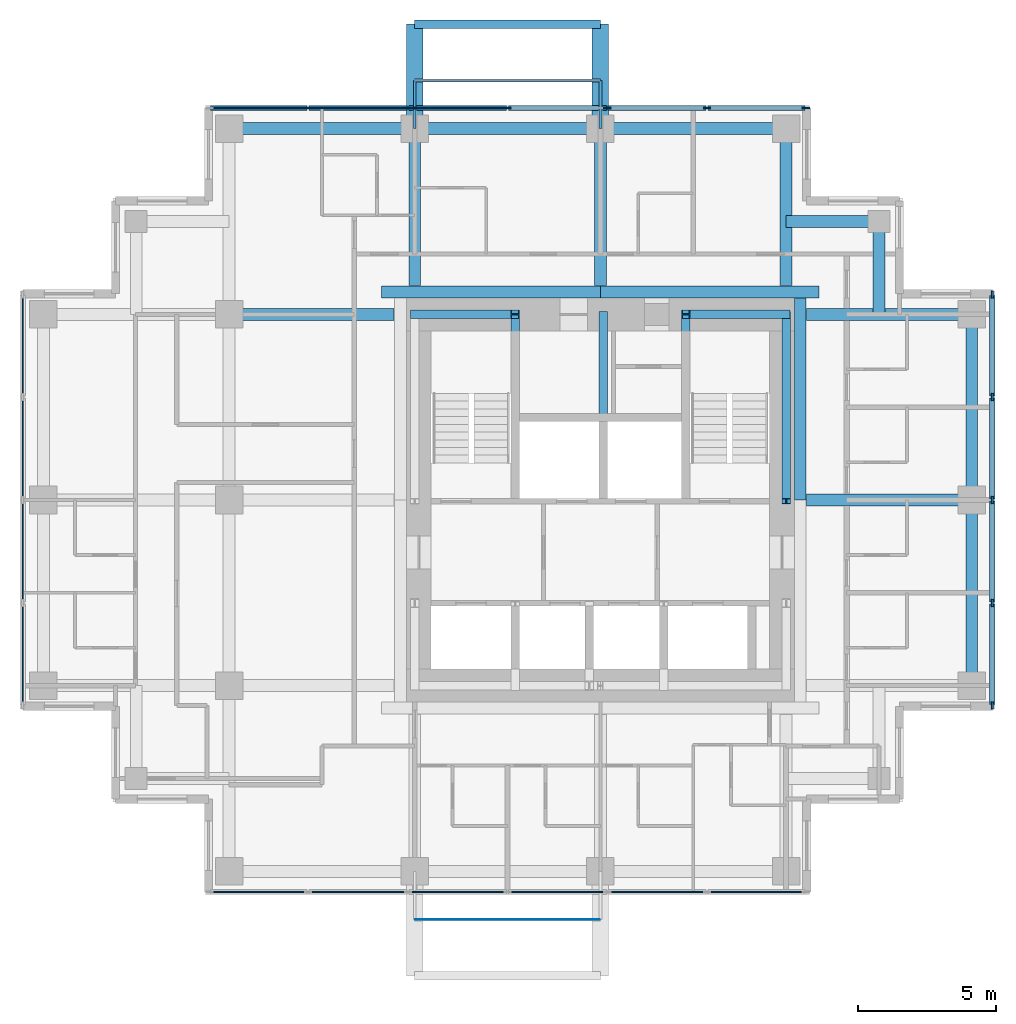
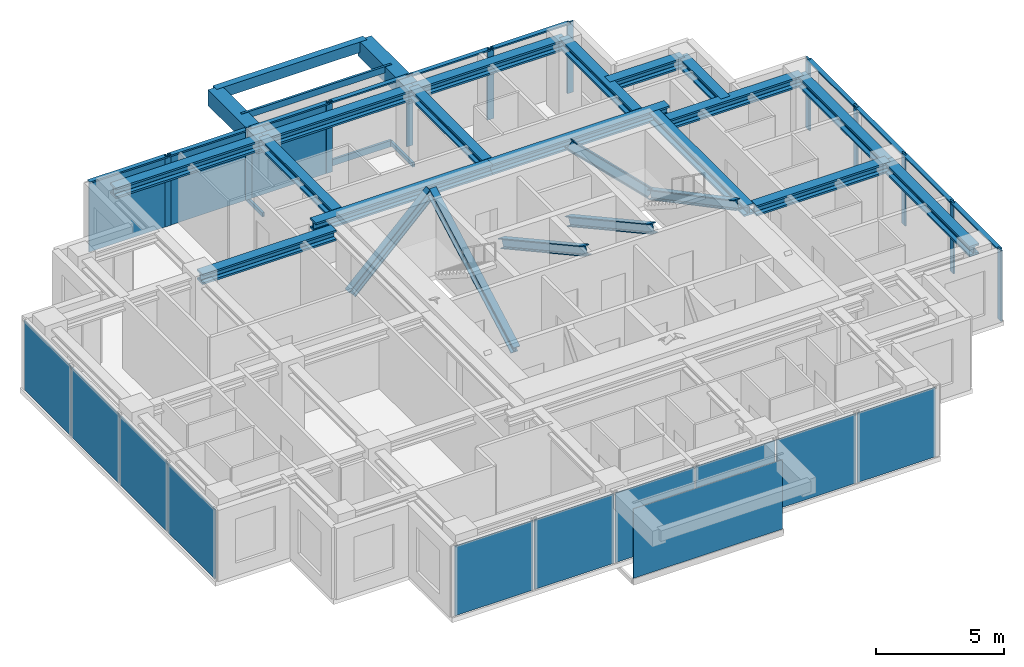
# One storey, part 2 of 8: 31 members, 19 beams, 14 plates, 4 elements without a shape of their own.
"""IFC4 building model written with IfcOpenShell, lengths in metres."""

from ifc_helpers import new_model, si_unit, direction, frame, origin, origin_2d, place, context, subcontext, project, spatial, rectangle, hollow_rectangle, i_section, extrude, material, layer, layer_set, material_profile, profile_set, type_object, element, aggregate, save


model = new_model("IFC4")

# Units and contexts
model_context = context("Model", 3, precision=1e-05, world=origin(), true_north=direction((0.0, 1.0)))
body_context = subcontext(model_context, "Body", "Model", "MODEL_VIEW")
ifc_project = project(units=[si_unit("LENGTHUNIT", "METRE"), si_unit("AREAUNIT", "SQUARE_METRE"), si_unit("VOLUMEUNIT", "CUBIC_METRE"), si_unit("PLANEANGLEUNIT", "RADIAN"), si_unit("MASSUNIT", "GRAM", prefix="KILO")], contexts=[model_context])

# Site, building, storey
site_placement = place(None, origin())
site = spatial("IfcSite", under=ifc_project, at=site_placement, CompositionType="ELEMENT")
building_placement = place(site_placement, origin())
building = spatial("IfcBuilding", under=site, at=building_placement, Name="Nyansa Garden Tower", CompositionType="ELEMENT")
storey_placement = place(building_placement, frame((0.0, 0.0, 243.89990234375)))
storey = spatial("IfcBuildingStorey", under=building, at=storey_placement, Name="L66", CompositionType="ELEMENT", Elevation=243.89990234375)

# Beams
ifc_material_1 = material(Name="Concrete C70/85", Category="concrete")
ifc_material_profile_1 = material_profile(ifc_material_1, rectangle(XDim=0.60009765625, YDim=0.75, at=origin_2d()), Name="RC 600x750")
ifc_profile_set_1 = profile_set([ifc_material_profile_1], Name="Concrete C70/85")
beam_type_1 = type_object("IfcBeamType", Name="Balcony cantilever beam CB1 RC 600x750", PredefinedType="BEAM", material=ifc_profile_set_1)
for number, where, z_axis, x_axis, name in (
    (1, (13.5, 33.75, 2.985107421875), (0.0, 1.0, 0.0), (-1.0, 0.0, 0.0), "Balcony cantilever beam L67"),
    (2, (20.25, 33.75, 2.985107421875), (0.0, 1.0, 0.0), (-1.0, 0.0, 0.0), "Balcony cantilever beam L67"),
):
    element("IfcBeam", number, at=place(storey_placement, frame(where, z_axis=z_axis, x_axis=x_axis)), inside=storey, type_object=beam_type_1, Name=name, PredefinedType="BEAM", context=body_context, shape_type="SweptSolid", body=[
        extrude(rectangle(XDim=0.60009765625, YDim=0.75, at=origin_2d()), origin(), (0.0, 0.0, 1.0), 3.800048828125),
    ])
ifc_material_2 = material(Name="Concrete C70/85", Category="concrete")
ifc_material_profile_2 = material_profile(ifc_material_2, rectangle(XDim=0.300048828125, YDim=0.5, at=origin_2d()), Name="RC 300x500")
ifc_profile_set_2 = profile_set([ifc_material_profile_2], Name="Concrete C70/85")
beam_type_2 = type_object("IfcBeamType", Name="Balcony edge beam BE1 RC 300x500", PredefinedType="BEAM", material=ifc_profile_set_2)
beam_1_placement = place(storey_placement, frame((13.5, 37.550048828125, 3.110107421875), z_axis=(1.0, 0.0, 0.0), x_axis=(0.0, 1.0, 0.0)))
element("IfcBeam", 3, at=beam_1_placement, inside=storey, type_object=beam_type_2, Name="Balcony edge beam L67", PredefinedType="BEAM", context=body_context, shape_type="SweptSolid", body=[
    extrude(rectangle(XDim=0.300048828125, YDim=0.5, at=origin_2d()), origin(), (0.0, 0.0, 1.0), 6.75),
])

# Curtain wall, members
ifc_material_3 = material(Name="Black anodised aluminium, dark tinted double glazing", Category="aluminium")
curtain_wall_type = type_object("IfcCurtainWallType", Name="Inner skin curtain wall ISW-D", PredefinedType="USERDEFINED", material=ifc_material_3)
curtain_wall_1_placement = place(storey_placement, origin())
curtain_wall_1 = element("IfcCurtainWall", 4, at=curtain_wall_1_placement, inside=storey, type_object=curtain_wall_type, Name="Inner skin curtain wall L66 E", ObjectType="UNITISED CURTAIN WALL", PredefinedType="USERDEFINED")
ifc_material_4 = material(Name="Black anodised aluminium", Category="aluminium")
ifc_material_profile_3 = material_profile(ifc_material_4, rectangle(XDim=0.070068359375, YDim=0.27490234375, at=origin_2d()), Name="Mullion 275x70")
ifc_profile_set_3 = profile_set([ifc_material_profile_3], Name="Black anodised aluminium")
member_type_1 = type_object("IfcMemberType", Name="Mullion ISW-D 275x70", PredefinedType="MULLION", material=ifc_profile_set_3)
member_1_placement = place(storey_placement, frame((34.5, 12.784912109375, 0.0), z_axis=(0.0, 0.0, 1.0), x_axis=(-1.0, 0.0, 0.0)))
member_1 = element("IfcMember", 5, at=member_1_placement, type_object=member_type_1, Name="ISW-D mullion 1", PredefinedType="MULLION", context=body_context, shape_type="SweptSolid", body=[
    extrude(rectangle(XDim=0.070068359375, YDim=0.27490234375, at=origin_2d()), origin(), (0.0, 0.0, 1.0), 3.375),
])
member_2_placement = place(storey_placement, frame((34.5, 16.5, 0.0), z_axis=(0.0, 0.0, 1.0), x_axis=(-1.0, 0.0, 0.0)))
member_2 = element("IfcMember", 6, at=member_2_placement, type_object=member_type_1, Name="ISW-D mullion 2", PredefinedType="MULLION", context=body_context, shape_type="SweptSolid", body=[
    extrude(rectangle(XDim=0.070068359375, YDim=0.27490234375, at=origin_2d()), origin(), (0.0, 0.0, 1.0), 3.375),
])
member_3_placement = place(storey_placement, frame((34.5, 20.25, 0.0), z_axis=(0.0, 0.0, 1.0), x_axis=(-1.0, 0.0, 0.0)))
member_3 = element("IfcMember", 7, at=member_3_placement, type_object=member_type_1, Name="ISW-D mullion 3", PredefinedType="MULLION", context=body_context, shape_type="SweptSolid", body=[
    extrude(rectangle(XDim=0.070068359375, YDim=0.27490234375, at=origin_2d()), origin(), (0.0, 0.0, 1.0), 3.375),
])
member_4_placement = place(storey_placement, frame((34.5, 24.0, 0.0), z_axis=(0.0, 0.0, 1.0), x_axis=(-1.0, 0.0, 0.0)))
member_4 = element("IfcMember", 8, at=member_4_placement, type_object=member_type_1, Name="ISW-D mullion 4", PredefinedType="MULLION", context=body_context, shape_type="SweptSolid", body=[
    extrude(rectangle(XDim=0.070068359375, YDim=0.27490234375, at=origin_2d()), origin(), (0.0, 0.0, 1.0), 3.375),
])
member_5_placement = place(storey_placement, frame((34.5, 27.715087890625, 0.0), z_axis=(0.0, 0.0, 1.0), x_axis=(-1.0, 0.0, 0.0)))
member_5 = element("IfcMember", 9, at=member_5_placement, type_object=member_type_1, Name="ISW-D mullion 5", PredefinedType="MULLION", context=body_context, shape_type="SweptSolid", body=[
    extrude(rectangle(XDim=0.070068359375, YDim=0.27490234375, at=origin_2d()), origin(), (0.0, 0.0, 1.0), 3.375),
])

curtain_wall_2_placement = place(storey_placement, origin())
curtain_wall_2 = element("IfcCurtainWall", 10, at=curtain_wall_2_placement, inside=storey, type_object=curtain_wall_type, Name="Inner skin curtain wall L66 N", ObjectType="UNITISED CURTAIN WALL", PredefinedType="USERDEFINED")
member_6_placement = place(storey_placement, frame((27.715087890625, 34.5, 0.0), z_axis=(0.0, 0.0, 1.0), x_axis=(0.0, -1.0, 0.0)))
member_6 = element("IfcMember", 11, at=member_6_placement, type_object=member_type_1, Name="ISW-D mullion 1", PredefinedType="MULLION", context=body_context, shape_type="SweptSolid", body=[
    extrude(rectangle(XDim=0.070068359375, YDim=0.27490234375, at=origin_2d()), origin(), (0.0, 0.0, 1.0), 3.375),
])
member_7_placement = place(storey_placement, frame((24.125, 34.5, 0.0), z_axis=(0.0, 0.0, 1.0), x_axis=(0.0, -1.0, 0.0)))
member_7 = element("IfcMember", 12, at=member_7_placement, type_object=member_type_1, Name="ISW-D mullion 2", PredefinedType="MULLION", context=body_context, shape_type="SweptSolid", body=[
    extrude(rectangle(XDim=0.070068359375, YDim=0.27490234375, at=origin_2d()), origin(), (0.0, 0.0, 1.0), 3.375),
])
member_8_placement = place(storey_placement, frame((20.5, 34.5, 0.0), z_axis=(0.0, 0.0, 1.0), x_axis=(0.0, -1.0, 0.0)))
member_8 = element("IfcMember", 13, at=member_8_placement, type_object=member_type_1, Name="ISW-D mullion 3", PredefinedType="MULLION", context=body_context, shape_type="SweptSolid", body=[
    extrude(rectangle(XDim=0.070068359375, YDim=0.27490234375, at=origin_2d()), origin(), (0.0, 0.0, 1.0), 3.375),
])
member_9_placement = place(storey_placement, frame((16.875, 34.5, 0.0), z_axis=(0.0, 0.0, 1.0), x_axis=(0.0, -1.0, 0.0)))
member_9 = element("IfcMember", 14, at=member_9_placement, type_object=member_type_1, Name="ISW-D mullion 4", PredefinedType="MULLION", context=body_context, shape_type="SweptSolid", body=[
    extrude(rectangle(XDim=0.070068359375, YDim=0.27490234375, at=origin_2d()), origin(), (0.0, 0.0, 1.0), 3.375),
])
member_10_placement = place(storey_placement, frame((13.25, 34.5, 0.0), z_axis=(0.0, 0.0, 1.0), x_axis=(0.0, -1.0, 0.0)))
member_10 = element("IfcMember", 15, at=member_10_placement, type_object=member_type_1, Name="ISW-D mullion 5", PredefinedType="MULLION", context=body_context, shape_type="SweptSolid", body=[
    extrude(rectangle(XDim=0.070068359375, YDim=0.27490234375, at=origin_2d()), origin(), (0.0, 0.0, 1.0), 3.375),
])
member_11_placement = place(storey_placement, frame((9.625, 34.5, 0.0), z_axis=(0.0, 0.0, 1.0), x_axis=(0.0, -1.0, 0.0)))
member_11 = element("IfcMember", 16, at=member_11_placement, type_object=member_type_1, Name="ISW-D mullion 6", PredefinedType="MULLION", context=body_context, shape_type="SweptSolid", body=[
    extrude(rectangle(XDim=0.070068359375, YDim=0.27490234375, at=origin_2d()), origin(), (0.0, 0.0, 1.0), 3.375),
])

# Members
ifc_material_5 = material(Name="Steel S355, black powder coated", Category="steel")
ifc_material_profile_4 = material_profile(ifc_material_5, hollow_rectangle(XDim=0.10009765625, YDim=0.199951171875, WallThickness=0.008056640625, at=origin_2d()), Name="RHS 200x100x8")
ifc_profile_set_4 = profile_set([ifc_material_profile_4], Name="Steel S355, black powder coated")
member_type_2 = type_object("IfcMemberType", Name="Outer skin bracket arm RHS 200x100x8", PredefinedType="USERDEFINED", material=ifc_profile_set_4)
for number, where, z_axis, x_axis, name in (
    (17, (13.5, 33.75, -0.375), (0.0, 1.0, 0.0), (-1.0, 0.0, 0.0), "Outer skin bracket arm"),
    (18, (20.25, 33.75, -0.375), (0.0, 1.0, 0.0), (-1.0, 0.0, 0.0), "Outer skin bracket arm"),
):
    element("IfcMember", number, at=place(storey_placement, frame(where, z_axis=z_axis, x_axis=x_axis)), inside=storey, type_object=member_type_2, Name=name, ObjectType="OUTER SKIN BRACKET", PredefinedType="USERDEFINED", context=body_context, shape_type="SweptSolid", body=[
        extrude(hollow_rectangle(XDim=0.10009765625, YDim=0.199951171875, WallThickness=0.008056640625, at=origin_2d()), origin(), (0.0, 0.0, 1.0), 1.75),
    ])
ifc_material_6 = material(Name="Steel S355, black powder coated", Category="steel")
ifc_material_profile_5 = material_profile(ifc_material_6, hollow_rectangle(XDim=0.10009765625, YDim=0.300048828125, WallThickness=0.010009765625, at=origin_2d()), Name="RHS 300x100x10")
ifc_profile_set_5 = profile_set([ifc_material_profile_5], Name="Steel S355, black powder coated")
member_type_3 = type_object("IfcMemberType", Name="Outer skin rail RHS 300x100x10", PredefinedType="USERDEFINED", material=ifc_profile_set_5)
for number, where, z_axis, x_axis, name in (
    (19, (13.5, 35.5, -0.375), (1.0, 0.0, 0.0), (0.0, 1.0, 0.0), "Outer skin rail L66"),
    (20, (13.5, 35.5, 3.22509765625), (1.0, 0.0, 0.0), (0.0, 1.0, 0.0), "Outer skin rail L66 head"),
):
    element("IfcMember", number, at=place(storey_placement, frame(where, z_axis=z_axis, x_axis=x_axis)), inside=storey, type_object=member_type_3, Name=name, ObjectType="OUTER SKIN RAIL", PredefinedType="USERDEFINED", context=body_context, shape_type="SweptSolid", body=[
        extrude(hollow_rectangle(XDim=0.10009765625, YDim=0.300048828125, WallThickness=0.010009765625, at=origin_2d()), origin(), (0.0, 0.0, 1.0), 6.75),
    ])
ifc_material_7 = material(Name="Steel S355", Category="steel")
ifc_material_profile_6 = material_profile(ifc_material_7, i_section(OverallWidth=0.306884765625, OverallDepth=0.431884765625, WebThickness=0.02099609375, FlangeThickness=0.0400390625, FilletRadius=0.027099609375, at=origin_2d()), Name="HE 400 M")
ifc_profile_set_6 = profile_set([ifc_material_profile_6], Name="Steel S355")
member_type_4 = type_object("IfcMemberType", Name="Perimeter brace HE 400 M", PredefinedType="BRACE", material=ifc_profile_set_6)
for number, where, z_axis, x_axis, name in (
    (21, (13.5, 27.0, 0.0), (0.711947531702, 0.0, 0.702232662373), (0.0, 1.0, 0.0), "Core brace CN3 L66"),
    (22, (27.0, 27.0, 0.0), (-0.711947531702, 0.0, 0.702232662373), (0.0, -1.0, 0.0), "Core brace CN4 L66"),
):
    element("IfcMember", number, at=place(storey_placement, frame(where, z_axis=z_axis, x_axis=x_axis)), inside=storey, type_object=member_type_4, Name=name, PredefinedType="BRACE", context=body_context, shape_type="SweptSolid", body=[
        extrude(i_section(OverallWidth=0.306884765625, OverallDepth=0.431884765625, WebThickness=0.02099609375, FlangeThickness=0.0400390625, FilletRadius=0.027099609375, at=origin_2d()), origin(), (0.0, 0.0, 1.0), 5.126708984375),
    ])
member_12_placement = place(storey_placement, frame((27.0, 27.0, 0.0), z_axis=(0.0, -0.883784057226, 0.467895009796), x_axis=(1.0, 0.0, 0.0)))
element("IfcMember", 23, at=member_12_placement, inside=storey, type_object=member_type_4, Name="Core brace CE8 L66", PredefinedType="BRACE", context=body_context, shape_type="SweptSolid", body=[
    extrude(i_section(OverallWidth=0.306884765625, OverallDepth=0.431884765625, WebThickness=0.02099609375, FlangeThickness=0.0400390625, FilletRadius=0.027099609375, at=origin_2d()), origin(), (0.0, 0.0, 1.0), 7.6943359375),
])
for number, where, z_axis, x_axis, name in (
    (24, (17.14990234375, 20.449951171875, 0.0), (0.0, 0.876353113771, 0.481669201822), (-1.0, 0.0, 0.0), "Core brace CWS9 L66"),
    (25, (23.35009765625, 27.0, 0.0), (0.0, -0.876353113771, 0.481669201822), (1.0, 0.0, 0.0), "Core brace CES10 L66"),
    (26, (20.35009765625, 27.0, 0.0), (0.0, -0.876353113771, 0.481669201822), (1.0, 0.0, 0.0), "Core brace CNW14 L66"),
):
    element("IfcMember", number, at=place(storey_placement, frame(where, z_axis=z_axis, x_axis=x_axis)), inside=storey, type_object=member_type_4, Name=name, PredefinedType="BRACE", context=body_context, shape_type="SweptSolid", body=[
        extrude(i_section(OverallWidth=0.306884765625, OverallDepth=0.431884765625, WebThickness=0.02099609375, FlangeThickness=0.0400390625, FilletRadius=0.027099609375, at=origin_2d()), origin(), (0.0, 0.0, 1.0), 7.47412109375),
    ])

# Beams
ifc_material_8 = material(Name="Steel S355", Category="steel")
ifc_material_profile_7 = material_profile(ifc_material_8, i_section(OverallWidth=0.431884765625, OverallDepth=0.498046875, WebThickness=0.0556640625, FlangeThickness=0.0888671875, FilletRadius=0.014892578125, at=origin_2d()), Name="HD 400x744")
ifc_profile_set_7 = profile_set([ifc_material_profile_7], Name="Steel S355")
beam_type_3 = type_object("IfcBeamType", Name="Steel beam SBD1-744 HD 400x744", PredefinedType="BEAM", material=ifc_profile_set_7)
beam_2_placement = place(storey_placement, frame((6.75, 27.0, 3.1259765625), z_axis=(1.0, 0.0, 0.0), x_axis=(0.0, 1.0, 0.0)))
element("IfcBeam", 27, at=beam_2_placement, inside=storey, type_object=beam_type_3, Name="Steel beam 3/H-12.750/H L67", PredefinedType="BEAM", context=body_context, shape_type="SweptSolid", body=[
    extrude(i_section(OverallWidth=0.431884765625, OverallDepth=0.498046875, WebThickness=0.0556640625, FlangeThickness=0.0888671875, FilletRadius=0.014892578125, at=origin_2d()), origin(), (0.0, 0.0, 1.0), 6.0),
])
for number, where, z_axis, x_axis, name in (
    (28, (13.5, 28.050048828125, 3.1259765625), (0.0, 1.0, 0.0), (-1.0, 0.0, 0.0), "Steel beam 4/28.050-4/J L67"),
    (29, (20.25, 28.050048828125, 3.1259765625), (0.0, 1.0, 0.0), (-1.0, 0.0, 0.0), "Steel beam 5/28.050-5/J L67"),
):
    element("IfcBeam", number, at=place(storey_placement, frame(where, z_axis=z_axis, x_axis=x_axis)), inside=storey, type_object=beam_type_3, Name=name, PredefinedType="BEAM", context=body_context, shape_type="SweptSolid", body=[
        extrude(i_section(OverallWidth=0.431884765625, OverallDepth=0.498046875, WebThickness=0.0556640625, FlangeThickness=0.0888671875, FilletRadius=0.014892578125, at=origin_2d()), origin(), (0.0, 0.0, 1.0), 5.699951171875),
    ])
beam_3_placement = place(storey_placement, frame((27.75, 20.25, 3.1259765625), z_axis=(1.0, 0.0, 0.0), x_axis=(0.0, 1.0, 0.0)))
element("IfcBeam", 30, at=beam_3_placement, inside=storey, type_object=beam_type_3, Name="Steel beam 27.750/G-7/G L67", PredefinedType="BEAM", context=body_context, shape_type="SweptSolid", body=[
    extrude(i_section(OverallWidth=0.431884765625, OverallDepth=0.498046875, WebThickness=0.0556640625, FlangeThickness=0.0888671875, FilletRadius=0.014892578125, at=origin_2d()), origin(), (0.0, 0.0, 1.0), 6.0),
])
beam_4_placement = place(storey_placement, frame((27.0, 28.050048828125, 3.1259765625), z_axis=(0.0, 1.0, 0.0), x_axis=(-1.0, 0.0, 0.0)))
element("IfcBeam", 31, at=beam_4_placement, inside=storey, type_object=beam_type_3, Name="Steel beam 6/28.050-6/J L67", PredefinedType="BEAM", context=body_context, shape_type="SweptSolid", body=[
    extrude(i_section(OverallWidth=0.431884765625, OverallDepth=0.498046875, WebThickness=0.0556640625, FlangeThickness=0.0888671875, FilletRadius=0.014892578125, at=origin_2d()), origin(), (0.0, 0.0, 1.0), 5.699951171875),
])
beam_5_placement = place(storey_placement, frame((27.75, 27.0, 3.1259765625), z_axis=(1.0, 0.0, 0.0), x_axis=(0.0, 1.0, 0.0)))
element("IfcBeam", 32, at=beam_5_placement, inside=storey, type_object=beam_type_3, Name="Steel beam 27.750/H-7/H L67", PredefinedType="BEAM", context=body_context, shape_type="SweptSolid", body=[
    extrude(i_section(OverallWidth=0.431884765625, OverallDepth=0.498046875, WebThickness=0.0556640625, FlangeThickness=0.0888671875, FilletRadius=0.014892578125, at=origin_2d()), origin(), (0.0, 0.0, 1.0), 6.0),
])
ifc_material_9 = material(Name="Steel S355", Category="steel")
ifc_material_profile_8 = material_profile(ifc_material_9, i_section(OverallWidth=0.431884765625, OverallDepth=0.498046875, WebThickness=0.0556640625, FlangeThickness=0.0888671875, FilletRadius=0.014892578125, at=origin_2d()), Name="HD 400x744")
ifc_profile_set_8 = profile_set([ifc_material_profile_8], Name="Steel S355")
beam_type_4 = type_object("IfcBeamType", Name="Steel beam SEBD-744 HD 400x744", PredefinedType="BEAM", material=ifc_profile_set_8)
for number, where, z_axis, x_axis, name in (
    (33, (6.75, 33.75, 3.1259765625), (1.0, 0.0, 0.0), (0.0, 1.0, 0.0), "Steel edge beam 3/J-4/J L67"),
    (34, (13.5, 33.75, 3.1259765625), (1.0, 0.0, 0.0), (0.0, 1.0, 0.0), "Steel edge beam 4/J-5/J L67"),
    (35, (20.25, 33.75, 3.1259765625), (1.0, 0.0, 0.0), (0.0, 1.0, 0.0), "Steel edge beam 5/J-6/J L67"),
    (36, (33.75, 13.5, 3.1259765625), (0.0, 1.0, 0.0), (-1.0, 0.0, 0.0), "Steel edge beam 7/F-7/G L67"),
    (37, (33.75, 20.25, 3.1259765625), (0.0, 1.0, 0.0), (-1.0, 0.0, 0.0), "Steel edge beam 7/G-7/H L67"),
):
    element("IfcBeam", number, at=place(storey_placement, frame(where, z_axis=z_axis, x_axis=x_axis)), inside=storey, type_object=beam_type_4, Name=name, PredefinedType="BEAM", context=body_context, shape_type="SweptSolid", body=[
        extrude(i_section(OverallWidth=0.431884765625, OverallDepth=0.498046875, WebThickness=0.0556640625, FlangeThickness=0.0888671875, FilletRadius=0.014892578125, at=origin_2d()), origin(), (0.0, 0.0, 1.0), 6.75),
    ])
ifc_material_10 = material(Name="Steel S355", Category="steel")
ifc_material_profile_9 = material_profile(ifc_material_10, i_section(OverallWidth=0.431884765625, OverallDepth=0.498046875, WebThickness=0.0556640625, FlangeThickness=0.0888671875, FilletRadius=0.014892578125, at=origin_2d()), Name="HD 400x744")
ifc_profile_set_9 = profile_set([ifc_material_profile_9], Name="Steel S355")
beam_type_5 = type_object("IfcBeamType", Name="Steel beam SLB1-744 HD 400x744", PredefinedType="BEAM", material=ifc_profile_set_9)
beam_6_placement = place(storey_placement, frame((27.51611328125, 20.25, 3.1259765625), z_axis=(0.0, 1.0, 0.0), x_axis=(-1.0, 0.0, 0.0)))
element("IfcBeam", 38, at=beam_6_placement, inside=storey, type_object=beam_type_5, Name="Steel core ledger beam E.2 L67", PredefinedType="BEAM", context=body_context, shape_type="SweptSolid", body=[
    extrude(i_section(OverallWidth=0.431884765625, OverallDepth=0.498046875, WebThickness=0.0556640625, FlangeThickness=0.0888671875, FilletRadius=0.014892578125, at=origin_2d()), origin(), (0.0, 0.0, 1.0), 7.35009765625),
])
for number, where, z_axis, x_axis, name in (
    (39, (28.199951171875, 27.81591796875, 3.1259765625), (-1.0, 0.0, 0.0), (0.0, -1.0, 0.0), "Steel core ledger beam N.1 L67"),
    (40, (20.25, 27.81591796875, 3.1259765625), (-1.0, 0.0, 0.0), (0.0, -1.0, 0.0), "Steel core ledger beam N.2 L67"),
):
    element("IfcBeam", number, at=place(storey_placement, frame(where, z_axis=z_axis, x_axis=x_axis)), inside=storey, type_object=beam_type_5, Name=name, PredefinedType="BEAM", context=body_context, shape_type="SweptSolid", body=[
        extrude(i_section(OverallWidth=0.431884765625, OverallDepth=0.498046875, WebThickness=0.0556640625, FlangeThickness=0.0888671875, FilletRadius=0.014892578125, at=origin_2d()), origin(), (0.0, 0.0, 1.0), 7.949951171875),
    ])
ifc_material_11 = material(Name="Steel S355", Category="steel")
ifc_material_profile_10 = material_profile(ifc_material_11, i_section(OverallWidth=0.431884765625, OverallDepth=0.498046875, WebThickness=0.0556640625, FlangeThickness=0.0888671875, FilletRadius=0.014892578125, at=origin_2d()), Name="HD 400x744")
ifc_profile_set_10 = profile_set([ifc_material_profile_10], Name="Steel S355")
beam_type_6 = type_object("IfcBeamType", Name="Steel beam SSB1-744 HD 400x744", PredefinedType="BEAM", material=ifc_profile_set_10)
for number, where, z_axis, x_axis, name in (
    (41, (30.375, 30.375, 3.1259765625), (0.0, -1.0, 0.0), (1.0, 0.0, 0.0), "Steel step beam 30.375/30.375 L67"),
    (42, (30.375, 30.375, 3.1259765625), (-1.0, 0.0, 0.0), (0.0, -1.0, 0.0), "Steel step beam 30.375/30.375 L67"),
):
    element("IfcBeam", number, at=place(storey_placement, frame(where, z_axis=z_axis, x_axis=x_axis)), inside=storey, type_object=beam_type_6, Name=name, PredefinedType="BEAM", context=body_context, shape_type="SweptSolid", body=[
        extrude(i_section(OverallWidth=0.431884765625, OverallDepth=0.498046875, WebThickness=0.0556640625, FlangeThickness=0.0888671875, FilletRadius=0.014892578125, at=origin_2d()), origin(), (0.0, 0.0, 1.0), 3.375),
    ])

# Member
ifc_material_12 = material(Name="Black anodised aluminium", Category="aluminium")
ifc_material_profile_11 = material_profile(ifc_material_12, rectangle(XDim=0.195068359375, YDim=0.070068359375, at=origin_2d()), Name="Transom 195x70")
ifc_profile_set_11 = profile_set([ifc_material_profile_11], Name="Black anodised aluminium")
member_type_5 = type_object("IfcMemberType", Name="Transom ISW-D 195x70", PredefinedType="USERDEFINED", material=ifc_profile_set_11)
member_13_placement = place(storey_placement, frame((34.5, 12.820068359375, 3.340087890625), z_axis=(0.0, 1.0, 0.0), x_axis=(-1.0, 0.0, 0.0)))
member_13 = element("IfcMember", 43, at=member_13_placement, type_object=member_type_5, Name="ISW-D transom 1", ObjectType="TRANSOM", PredefinedType="USERDEFINED", context=body_context, shape_type="SweptSolid", body=[
    extrude(rectangle(XDim=0.195068359375, YDim=0.070068359375, at=origin_2d()), origin(), (0.0, 0.0, 1.0), 3.64501953125),
])

member_14_placement = place(storey_placement, frame((34.5, 16.534912109375, 3.340087890625), z_axis=(0.0, 1.0, 0.0), x_axis=(-1.0, 0.0, 0.0)))
member_14 = element("IfcMember", 44, at=member_14_placement, type_object=member_type_5, Name="ISW-D transom 2", ObjectType="TRANSOM", PredefinedType="USERDEFINED", context=body_context, shape_type="SweptSolid", body=[
    extrude(rectangle(XDim=0.195068359375, YDim=0.070068359375, at=origin_2d()), origin(), (0.0, 0.0, 1.0), 3.68017578125),
])

member_15_placement = place(storey_placement, frame((34.5, 20.284912109375, 3.340087890625), z_axis=(0.0, 1.0, 0.0), x_axis=(-1.0, 0.0, 0.0)))
member_15 = element("IfcMember", 45, at=member_15_placement, type_object=member_type_5, Name="ISW-D transom 3", ObjectType="TRANSOM", PredefinedType="USERDEFINED", context=body_context, shape_type="SweptSolid", body=[
    extrude(rectangle(XDim=0.195068359375, YDim=0.070068359375, at=origin_2d()), origin(), (0.0, 0.0, 1.0), 3.68017578125),
])

member_16_placement = place(storey_placement, frame((34.5, 24.034912109375, 3.340087890625), z_axis=(0.0, 1.0, 0.0), x_axis=(-1.0, 0.0, 0.0)))
member_16 = element("IfcMember", 46, at=member_16_placement, type_object=member_type_5, Name="ISW-D transom 4", ObjectType="TRANSOM", PredefinedType="USERDEFINED", context=body_context, shape_type="SweptSolid", body=[
    extrude(rectangle(XDim=0.195068359375, YDim=0.070068359375, at=origin_2d()), origin(), (0.0, 0.0, 1.0), 3.64501953125),
])

aggregate(curtain_wall_1, [member_1, member_2, member_3, member_4, member_5, member_13, member_14, member_15, member_16])

member_17_placement = place(storey_placement, frame((27.679931640625, 34.5, 3.340087890625), z_axis=(-1.0, 0.0, 0.0), x_axis=(0.0, -1.0, 0.0)))
member_17 = element("IfcMember", 47, at=member_17_placement, type_object=member_type_5, Name="ISW-D transom 1", ObjectType="TRANSOM", PredefinedType="USERDEFINED", context=body_context, shape_type="SweptSolid", body=[
    extrude(rectangle(XDim=0.195068359375, YDim=0.070068359375, at=origin_2d()), origin(), (0.0, 0.0, 1.0), 3.52001953125),
])

member_18_placement = place(storey_placement, frame((24.090087890625, 34.5, 3.340087890625), z_axis=(-1.0, 0.0, 0.0), x_axis=(0.0, -1.0, 0.0)))
member_18 = element("IfcMember", 48, at=member_18_placement, type_object=member_type_5, Name="ISW-D transom 2", ObjectType="TRANSOM", PredefinedType="USERDEFINED", context=body_context, shape_type="SweptSolid", body=[
    extrude(rectangle(XDim=0.195068359375, YDim=0.070068359375, at=origin_2d()), origin(), (0.0, 0.0, 1.0), 3.55517578125),
])

member_19_placement = place(storey_placement, frame((20.465087890625, 34.5, 3.340087890625), z_axis=(-1.0, 0.0, 0.0), x_axis=(0.0, -1.0, 0.0)))
member_19 = element("IfcMember", 49, at=member_19_placement, type_object=member_type_5, Name="ISW-D transom 3", ObjectType="TRANSOM", PredefinedType="USERDEFINED", context=body_context, shape_type="SweptSolid", body=[
    extrude(rectangle(XDim=0.195068359375, YDim=0.070068359375, at=origin_2d()), origin(), (0.0, 0.0, 1.0), 3.55517578125),
])

member_20_placement = place(storey_placement, frame((16.840087890625, 34.5, 3.340087890625), z_axis=(-1.0, 0.0, 0.0), x_axis=(0.0, -1.0, 0.0)))
member_20 = element("IfcMember", 50, at=member_20_placement, type_object=member_type_5, Name="ISW-D transom 4", ObjectType="TRANSOM", PredefinedType="USERDEFINED", context=body_context, shape_type="SweptSolid", body=[
    extrude(rectangle(XDim=0.195068359375, YDim=0.070068359375, at=origin_2d()), origin(), (0.0, 0.0, 1.0), 3.55517578125),
])

member_21_placement = place(storey_placement, frame((13.215087890625, 34.5, 3.340087890625), z_axis=(-1.0, 0.0, 0.0), x_axis=(0.0, -1.0, 0.0)))
member_21 = element("IfcMember", 51, at=member_21_placement, type_object=member_type_5, Name="ISW-D transom 5", ObjectType="TRANSOM", PredefinedType="USERDEFINED", context=body_context, shape_type="SweptSolid", body=[
    extrude(rectangle(XDim=0.195068359375, YDim=0.070068359375, at=origin_2d()), origin(), (0.0, 0.0, 1.0), 3.55517578125),
])

member_22_placement = place(storey_placement, frame((9.590087890625, 34.5, 3.340087890625), z_axis=(-1.0, 0.0, 0.0), x_axis=(0.0, -1.0, 0.0)))
member_22 = element("IfcMember", 52, at=member_22_placement, type_object=member_type_5, Name="ISW-D transom 6", ObjectType="TRANSOM", PredefinedType="USERDEFINED", context=body_context, shape_type="SweptSolid", body=[
    extrude(rectangle(XDim=0.195068359375, YDim=0.070068359375, at=origin_2d()), origin(), (0.0, 0.0, 1.0), 3.52001953125),
])

# Plate
ifc_material_13 = material(Name="Dark tinted laminated double glazing", Category="glass")
ifc_layer_1 = layer(ifc_material_13, 0.0439453125)
ifc_layer_set_1 = layer_set([ifc_layer_1], Name="Dark tinted vision panel VP-D")
plate_type_1 = type_object("IfcPlateType", Name="Dark tinted vision panel VP-D", PredefinedType="CURTAIN_PANEL", material=ifc_layer_set_1)
plate_1_placement = place(storey_placement, frame((15.0625, 34.5, 0.0), z_axis=(0.0, 0.0, 1.0), x_axis=(-1.0, 0.0, 0.0)))
plate_1 = element("IfcPlate", 53, at=plate_1_placement, type_object=plate_type_1, Name="ISW-D panel 4", PredefinedType="CURTAIN_PANEL", context=body_context, shape_type="SweptSolid", body=[
    extrude(rectangle(XDim=3.554931640625, YDim=0.0439453125, at=origin_2d()), origin(), (0.0, 0.0, 1.0), 3.304931640625),
])

plate_2_placement = place(storey_placement, frame((11.4375, 34.5, 0.0), z_axis=(0.0, 0.0, 1.0), x_axis=(-1.0, 0.0, 0.0)))
plate_2 = element("IfcPlate", 54, at=plate_2_placement, type_object=plate_type_1, Name="ISW-D panel 5", PredefinedType="CURTAIN_PANEL", context=body_context, shape_type="SweptSolid", body=[
    extrude(rectangle(XDim=3.554931640625, YDim=0.0439453125, at=origin_2d()), origin(), (0.0, 0.0, 1.0), 3.304931640625),
])

plate_3_placement = place(storey_placement, frame((7.830078125, 34.5, 0.0), z_axis=(0.0, 0.0, 1.0), x_axis=(-1.0, 0.0, 0.0)))
plate_3 = element("IfcPlate", 55, at=plate_3_placement, type_object=plate_type_1, Name="ISW-D panel 6", PredefinedType="CURTAIN_PANEL", context=body_context, shape_type="SweptSolid", body=[
    extrude(rectangle(XDim=3.52001953125, YDim=0.0439453125, at=origin_2d()), origin(), (0.0, 0.0, 1.0), 3.304931640625),
])

aggregate(curtain_wall_2, [member_6, member_7, member_8, member_9, member_10, member_11, member_17, member_18, member_19, member_20, plate_1, member_21, plate_2, member_22, plate_3])

# Curtain wall, plates
curtain_wall_3_placement = place(storey_placement, origin())
curtain_wall_3 = element("IfcCurtainWall", 56, at=curtain_wall_3_placement, inside=storey, type_object=curtain_wall_type, Name="Inner skin curtain wall L66 W", ObjectType="UNITISED CURTAIN WALL", PredefinedType="USERDEFINED")
plate_4_placement = place(storey_placement, frame((-0.75, 25.857421875, 0.0), z_axis=(0.0, 0.0, 1.0), x_axis=(0.0, -1.0, 0.0)))
plate_4 = element("IfcPlate", 57, at=plate_4_placement, type_object=plate_type_1, Name="ISW-D panel 1", PredefinedType="CURTAIN_PANEL", context=body_context, shape_type="SweptSolid", body=[
    extrude(rectangle(XDim=3.64501953125, YDim=0.0439453125, at=origin_2d()), origin(), (0.0, 0.0, 1.0), 3.304931640625),
])
plate_5_placement = place(storey_placement, frame((-0.75, 22.125, 0.0), z_axis=(0.0, 0.0, 1.0), x_axis=(0.0, -1.0, 0.0)))
plate_5 = element("IfcPlate", 58, at=plate_5_placement, type_object=plate_type_1, Name="ISW-D panel 2", PredefinedType="CURTAIN_PANEL", context=body_context, shape_type="SweptSolid", body=[
    extrude(rectangle(XDim=3.679931640625, YDim=0.0439453125, at=origin_2d()), origin(), (0.0, 0.0, 1.0), 3.304931640625),
])
plate_6_placement = place(storey_placement, frame((-0.75, 18.375, 0.0), z_axis=(0.0, 0.0, 1.0), x_axis=(0.0, -1.0, 0.0)))
plate_6 = element("IfcPlate", 59, at=plate_6_placement, type_object=plate_type_1, Name="ISW-D panel 3", PredefinedType="CURTAIN_PANEL", context=body_context, shape_type="SweptSolid", body=[
    extrude(rectangle(XDim=3.679931640625, YDim=0.0439453125, at=origin_2d()), origin(), (0.0, 0.0, 1.0), 3.304931640625),
])
plate_7_placement = place(storey_placement, frame((-0.75, 14.642578125, 0.0), z_axis=(0.0, 0.0, 1.0), x_axis=(0.0, -1.0, 0.0)))
plate_7 = element("IfcPlate", 60, at=plate_7_placement, type_object=plate_type_1, Name="ISW-D panel 4", PredefinedType="CURTAIN_PANEL", context=body_context, shape_type="SweptSolid", body=[
    extrude(rectangle(XDim=3.64501953125, YDim=0.0439453125, at=origin_2d()), origin(), (0.0, 0.0, 1.0), 3.304931640625),
])
aggregate(curtain_wall_3, [plate_4, plate_5, plate_6, plate_7])

curtain_wall_4_placement = place(storey_placement, origin())
curtain_wall_4 = element("IfcCurtainWall", 61, at=curtain_wall_4_placement, inside=storey, type_object=curtain_wall_type, Name="Inner skin curtain wall L66 S", ObjectType="UNITISED CURTAIN WALL", PredefinedType="USERDEFINED")
plate_8_placement = place(storey_placement, frame((7.830078125, 6.0, 0.0), z_axis=(0.0, 0.0, 1.0), x_axis=(1.0, 0.0, 0.0)))
plate_8 = element("IfcPlate", 62, at=plate_8_placement, type_object=plate_type_1, Name="ISW-D panel 1", PredefinedType="CURTAIN_PANEL", context=body_context, shape_type="SweptSolid", body=[
    extrude(rectangle(XDim=3.52001953125, YDim=0.0439453125, at=origin_2d()), origin(), (0.0, 0.0, 1.0), 3.304931640625),
])
plate_9_placement = place(storey_placement, frame((11.4375, 6.0, 0.0), z_axis=(0.0, 0.0, 1.0), x_axis=(1.0, 0.0, 0.0)))
plate_9 = element("IfcPlate", 63, at=plate_9_placement, type_object=plate_type_1, Name="ISW-D panel 2", PredefinedType="CURTAIN_PANEL", context=body_context, shape_type="SweptSolid", body=[
    extrude(rectangle(XDim=3.554931640625, YDim=0.0439453125, at=origin_2d()), origin(), (0.0, 0.0, 1.0), 3.304931640625),
])
plate_10_placement = place(storey_placement, frame((15.0625, 6.0, 0.0), z_axis=(0.0, 0.0, 1.0), x_axis=(1.0, 0.0, 0.0)))
plate_10 = element("IfcPlate", 64, at=plate_10_placement, type_object=plate_type_1, Name="ISW-D panel 3", PredefinedType="CURTAIN_PANEL", context=body_context, shape_type="SweptSolid", body=[
    extrude(rectangle(XDim=3.554931640625, YDim=0.0439453125, at=origin_2d()), origin(), (0.0, 0.0, 1.0), 3.304931640625),
])
plate_11_placement = place(storey_placement, frame((18.6875, 6.0, 0.0), z_axis=(0.0, 0.0, 1.0), x_axis=(1.0, 0.0, 0.0)))
plate_11 = element("IfcPlate", 65, at=plate_11_placement, type_object=plate_type_1, Name="ISW-D panel 4", PredefinedType="CURTAIN_PANEL", context=body_context, shape_type="SweptSolid", body=[
    extrude(rectangle(XDim=3.554931640625, YDim=0.0439453125, at=origin_2d()), origin(), (0.0, 0.0, 1.0), 3.304931640625),
])
plate_12_placement = place(storey_placement, frame((22.3125, 6.0, 0.0), z_axis=(0.0, 0.0, 1.0), x_axis=(1.0, 0.0, 0.0)))
plate_12 = element("IfcPlate", 66, at=plate_12_placement, type_object=plate_type_1, Name="ISW-D panel 5", PredefinedType="CURTAIN_PANEL", context=body_context, shape_type="SweptSolid", body=[
    extrude(rectangle(XDim=3.554931640625, YDim=0.0439453125, at=origin_2d()), origin(), (0.0, 0.0, 1.0), 3.304931640625),
])
plate_13_placement = place(storey_placement, frame((25.919921875, 6.0, 0.0), z_axis=(0.0, 0.0, 1.0), x_axis=(1.0, 0.0, 0.0)))
plate_13 = element("IfcPlate", 67, at=plate_13_placement, type_object=plate_type_1, Name="ISW-D panel 6", PredefinedType="CURTAIN_PANEL", context=body_context, shape_type="SweptSolid", body=[
    extrude(rectangle(XDim=3.52001953125, YDim=0.0439453125, at=origin_2d()), origin(), (0.0, 0.0, 1.0), 3.304931640625),
])
aggregate(curtain_wall_4, [plate_8, plate_9, plate_10, plate_11, plate_12, plate_13])

# Plate
ifc_material_14 = material(Name="Dark tinted laminated glass", Category="glass")
ifc_layer_2 = layer(ifc_material_14, 0.02392578125)
ifc_layer_set_2 = layer_set([ifc_layer_2], Name="Outer skin glass panel OS1")
plate_type_2 = type_object("IfcPlateType", Name="Outer skin glass panel OS1", PredefinedType="USERDEFINED", material=ifc_layer_set_2)
plate_14_placement = place(storey_placement, frame((16.875, 5.0, -0.22509765625), z_axis=(0.0, 0.0, 1.0), x_axis=(1.0, 0.0, 0.0)))
element("IfcPlate", 68, at=plate_14_placement, inside=storey, type_object=plate_type_2, Name="Outer skin glass panel L66", ObjectType="OUTER SKIN GLASS", PredefinedType="USERDEFINED", context=body_context, shape_type="SweptSolid", body=[
    extrude(rectangle(XDim=6.7099609375, YDim=0.02392578125, at=origin_2d()), origin(), (0.0, 0.0, 1.0), 3.300048828125),
])

save(model, "model.ifc")
